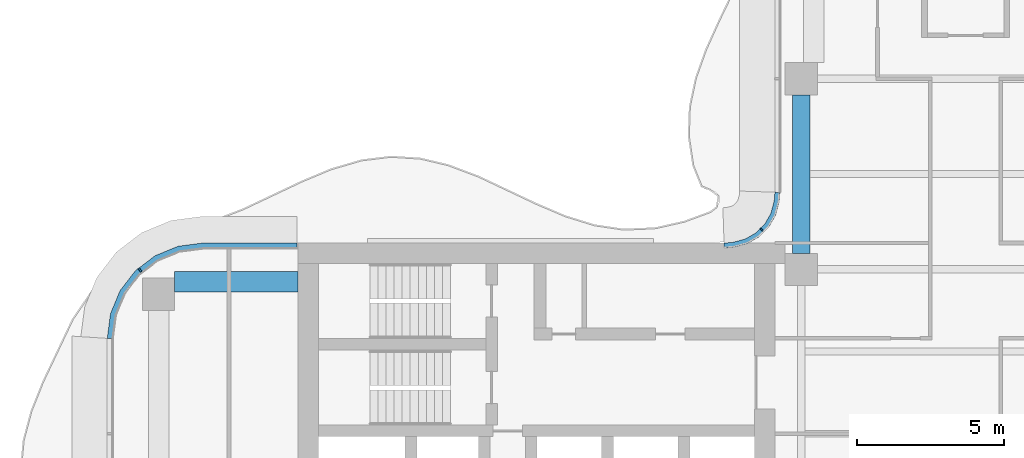
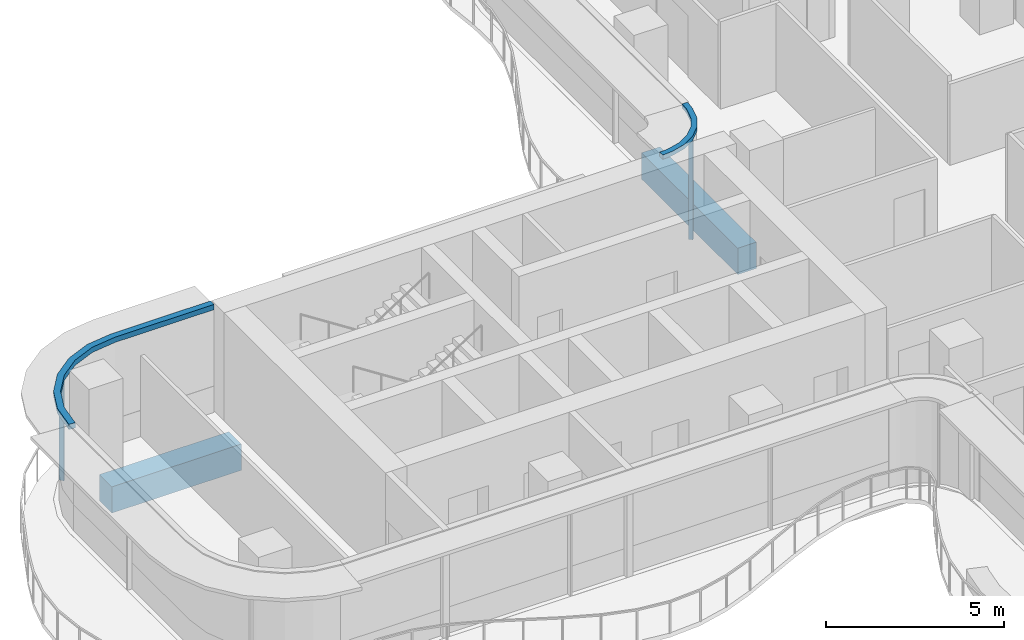
# One storey, part 7 of 18: 4 members, 2 beams, 2 elements without a shape of their own.
"""IFC4 building model written with IfcOpenShell, lengths in metres."""

from ifc_helpers import new_model, si_unit, direction, frame, origin, origin_2d, place, context, subcontext, project, spatial, polyline, rectangle, outline, extrude, source, transform, mapped, material, layer, layer_set, material_profile, profile_set, type_object, element, aggregate, save


model = new_model("IFC4")

# Units and contexts
model_context = context("Model", 3, precision=1e-05, world=origin(), true_north=direction((0.0, 1.0)))
body_context = subcontext(model_context, "Body", "Model", "MODEL_VIEW")
ifc_project = project(units=[si_unit("LENGTHUNIT", "METRE"), si_unit("AREAUNIT", "SQUARE_METRE"), si_unit("VOLUMEUNIT", "CUBIC_METRE"), si_unit("PLANEANGLEUNIT", "RADIAN"), si_unit("MASSUNIT", "GRAM", prefix="KILO")], contexts=[model_context])

# Site, building, storey
site_placement = place(None, origin())
site = spatial("IfcSite", under=ifc_project, at=site_placement, CompositionType="ELEMENT")
building_placement = place(site_placement, origin())
building = spatial("IfcBuilding", under=site, at=building_placement, Name="Trellis Farm Tower", CompositionType="ELEMENT")
storey_placement = place(building_placement, frame((0.0, 0.0, 224.60009765625)))
storey = spatial("IfcBuildingStorey", under=building, at=storey_placement, Name="L49", CompositionType="ELEMENT", Elevation=224.60009765625)

# Beams
ifc_material_1 = material(Name="Concrete C60/75", Category="concrete")
ifc_material_profile_1 = material_profile(ifc_material_1, rectangle(XDim=0.60009765625, YDim=0.89990234375, at=origin_2d()), Name="RC spandrel beam 600x900 C60/75")
ifc_profile_set_1 = profile_set([ifc_material_profile_1], Name="Concrete C60/75")
beam_type_1 = type_object("IfcBeamType", Name="RC spandrel beam 600x900 C60/75", PredefinedType="SPANDREL", material=ifc_profile_set_1)
shared_shape_1 = source(origin(), body_context, "Body", "SweptSolid", [
    extrude(rectangle(XDim=0.60009765625, YDim=0.89990234375, at=origin_2d()), origin(), (0.0, 0.0, 1.0), 5.400146484375),
])
beam_1_placement = place(storey_placement, frame((-5.60009765625, 6.14990234375, -0.650146484375), z_axis=(0.0, 1.0, 0.0), x_axis=(-1.0, 0.0, 0.0)))
element("IfcBeam", 1, at=beam_1_placement, inside=storey, type_object=beam_type_1, Name="Girder", PredefinedType="SPANDREL", context=body_context, shape_type="MappedRepresentation", body=[
    mapped(shared_shape_1, transform((0.0, 0.0, 0.0))),
])
ifc_material_profile_2 = material_profile(ifc_material_1, rectangle(XDim=0.699951171875, YDim=0.89990234375, at=origin_2d()), Name="RC spandrel beam 700x900 C60/75")
ifc_profile_set_2 = profile_set([ifc_material_profile_2], Name="Concrete C60/75")
beam_type_2 = type_object("IfcBeamType", Name="RC spandrel beam 700x900 C60/75", PredefinedType="SPANDREL", material=ifc_profile_set_2)
shared_shape_2 = source(origin(), body_context, "Body", "SweptSolid", [
    extrude(rectangle(XDim=0.699951171875, YDim=0.89990234375, at=origin_2d()), origin(), (0.0, 0.0, 1.0), 4.199951171875),
])
beam_2_placement = place(storey_placement, frame((-26.949951171875, 5.175048828125, -0.650146484375), z_axis=(1.0, 0.0, 0.0), x_axis=(0.0, 1.0, 0.0)))
element("IfcBeam", 2, at=beam_2_placement, inside=storey, type_object=beam_type_2, Name="Girder", PredefinedType="SPANDREL", context=body_context, shape_type="MappedRepresentation", body=[
    mapped(shared_shape_2, transform((0.0, 0.0, 0.0))),
])

# Curtain wall, members
ifc_material_2 = material(Name="Aluminium and glass curtain wall", Category="aluminium")
ifc_layer_1 = layer(ifc_material_2, 0.18994140625)
ifc_layer_set_1 = layer_set([ifc_layer_1], Name="RIBBON CURTAIN WALL CW1")
curtain_wall_type_1 = type_object("IfcCurtainWallType", Name="RIBBON CURTAIN WALL CW1", PredefinedType="NOTDEFINED", material=ifc_layer_set_1)
placement = place(storey_placement, origin())
curtain_wall_1 = element("IfcCurtainWall", 3, at=placement, inside=storey, type_object=curtain_wall_type_1, Name="CW1 012", PredefinedType="NOTDEFINED")
ifc_material_3 = material(Name="Aluminium extrusion 6063-T6", Category="aluminium")
ifc_material_profile_3 = material_profile(ifc_material_3, rectangle(XDim=0.06005859375, YDim=0.14990234375, at=origin_2d()), Name="MULLION 60x150")
ifc_profile_set_3 = profile_set([ifc_material_profile_3], Name="Aluminium extrusion 6063-T6")
member_type_1 = type_object("IfcMemberType", Name="CW1 MULLION 60x150", PredefinedType="MULLION", material=ifc_profile_set_3)
shared_shape_3 = source(origin(), body_context, "Body", "SweptSolid", [
    extrude(rectangle(XDim=0.06005859375, YDim=0.14990234375, at=origin_2d()), origin(), (0.0, 0.0, 1.0), 3.52001953125),
])
member_1_placement = place(storey_placement, frame((-28.135498046875, 5.578369140625, 0.0), z_axis=(0.0, 0.0, 1.0), x_axis=(-0.793353340291, -0.608761429009, 0.0)))
member_1 = element("IfcMember", 4, at=member_1_placement, type_object=member_type_1, Name="MU1 012-01", PredefinedType="MULLION", context=body_context, shape_type="MappedRepresentation", body=[
    mapped(shared_shape_3, transform((0.0, 0.0, 0.0))),
])
ifc_layer_2 = layer(ifc_material_3, 0.199951171875)
ifc_layer_set_2 = layer_set([ifc_layer_2], Name="Aluminium extrusion 6063-T6")
member_type_2 = type_object("IfcMemberType", Name="CW1 TRANSOM 200x180", PredefinedType="USERDEFINED", material=ifc_layer_set_2)
shared_shape_4 = source(origin(), body_context, "Body", "SweptSolid", [
    extrude(outline(polyline([(-22.780029296875, 6.5), (-26.0, 6.5), (-26.841064453125, 6.38916015625), (-27.625, 6.064697265625), (-28.298095703125, 5.548095703125), (-28.814697265625, 4.875), (-29.13916015625, 4.091064453125), (-29.25, 3.25), (-29.050048828125, 3.23681640625), (-28.9443359375, 4.0390625), (-28.639892578125, 4.774169921875), (-28.155517578125, 5.405517578125), (-27.524169921875, 5.889892578125), (-26.7890625, 6.1943359375), (-25.98681640625, 6.300048828125), (-22.780029296875, 6.300048828125), (-22.780029296875, 6.5)])), origin(), (0.0, 0.0, 1.0), 0.179931640625),
])
member_2_placement = place(storey_placement, frame((0.0, 0.0, 3.52001953125)))
member_2 = element("IfcMember", 5, at=member_2_placement, type_object=member_type_2, Name="TR1 012", ObjectType="TRANSOM", PredefinedType="USERDEFINED", context=body_context, shape_type="MappedRepresentation", body=[
    mapped(shared_shape_4, transform((0.0, 0.0, 0.0))),
])
aggregate(curtain_wall_1, [member_1, member_2])

ifc_layer_3 = layer(ifc_material_2, 0.166015625)
ifc_layer_set_3 = layer_set([ifc_layer_3], Name="WINTER GARDEN CURTAIN WALL CW3")
curtain_wall_type_2 = type_object("IfcCurtainWallType", Name="WINTER GARDEN CURTAIN WALL CW3", PredefinedType="NOTDEFINED", material=ifc_layer_set_3)
curtain_wall_2 = element("IfcCurtainWall", 6, at=placement, inside=storey, type_object=curtain_wall_type_2, Name="CW3 004", PredefinedType="NOTDEFINED")
ifc_material_profile_4 = material_profile(ifc_material_3, rectangle(XDim=0.050048828125, YDim=0.1201171875, at=origin_2d()), Name="MULLION 50x120")
ifc_profile_set_4 = profile_set([ifc_material_profile_4], Name="Aluminium extrusion 6063-T6")
member_type_3 = type_object("IfcMemberType", Name="CW3 MULLION 50x120", PredefinedType="MULLION", material=ifc_profile_set_4)
shared_shape_5 = source(origin(), body_context, "Body", "SweptSolid", [
    extrude(rectangle(XDim=0.050048828125, YDim=0.1201171875, at=origin_2d()), origin(), (0.0, 0.0, 1.0), 3.5498046875),
])
member_3_placement = place(storey_placement, frame((-6.953125, 6.953125, 0.0), z_axis=(0.0, 0.0, 1.0), x_axis=(-0.707106781187, -0.707106781187, 0.0)))
member_3 = element("IfcMember", 7, at=member_3_placement, type_object=member_type_3, Name="MU3 004-01", PredefinedType="MULLION", context=body_context, shape_type="MappedRepresentation", body=[
    mapped(shared_shape_5, transform((0.0, 0.0, 0.0))),
])
ifc_layer_4 = layer(ifc_material_3, 0.169921875)
ifc_layer_set_4 = layer_set([ifc_layer_4], Name="Aluminium extrusion 6063-T6")
member_type_4 = type_object("IfcMemberType", Name="CW3 TRANSOM 170x150", PredefinedType="USERDEFINED", material=ifc_layer_set_4)
shared_shape_6 = source(origin(), body_context, "Body", "SweptSolid", [
    extrude(outline(polyline([(-6.5, 8.2314453125), (-6.513916015625, 8.01953125), (-6.527587890625, 7.91552734375), (-6.63671875, 7.508544921875), (-6.846923828125, 7.144287109375), (-7.144287109375, 6.846923828125), (-7.508544921875, 6.63671875), (-7.91552734375, 6.527587890625), (-8.01953125, 6.513916015625), (-8.2314453125, 6.5), (-8.225830078125, 6.330078125), (-8.0029296875, 6.3447265625), (-7.88232421875, 6.360595703125), (-7.44287109375, 6.478271484375), (-7.0400390625, 6.7109375), (-6.7109375, 7.0400390625), (-6.478271484375, 7.44287109375), (-6.360595703125, 7.88232421875), (-6.3447265625, 8.0029296875), (-6.330078125, 8.225830078125), (-6.5, 8.2314453125)])), origin(), (0.0, 0.0, 1.0), 0.150146484375),
])
member_4_placement = place(storey_placement, frame((0.0, 0.0, 3.5498046875)))
member_4 = element("IfcMember", 8, at=member_4_placement, type_object=member_type_4, Name="TR3 004", ObjectType="TRANSOM", PredefinedType="USERDEFINED", context=body_context, shape_type="MappedRepresentation", body=[
    mapped(shared_shape_6, transform((0.0, 0.0, 0.0))),
])
aggregate(curtain_wall_2, [member_3, member_4])

save(model, "model.ifc")
